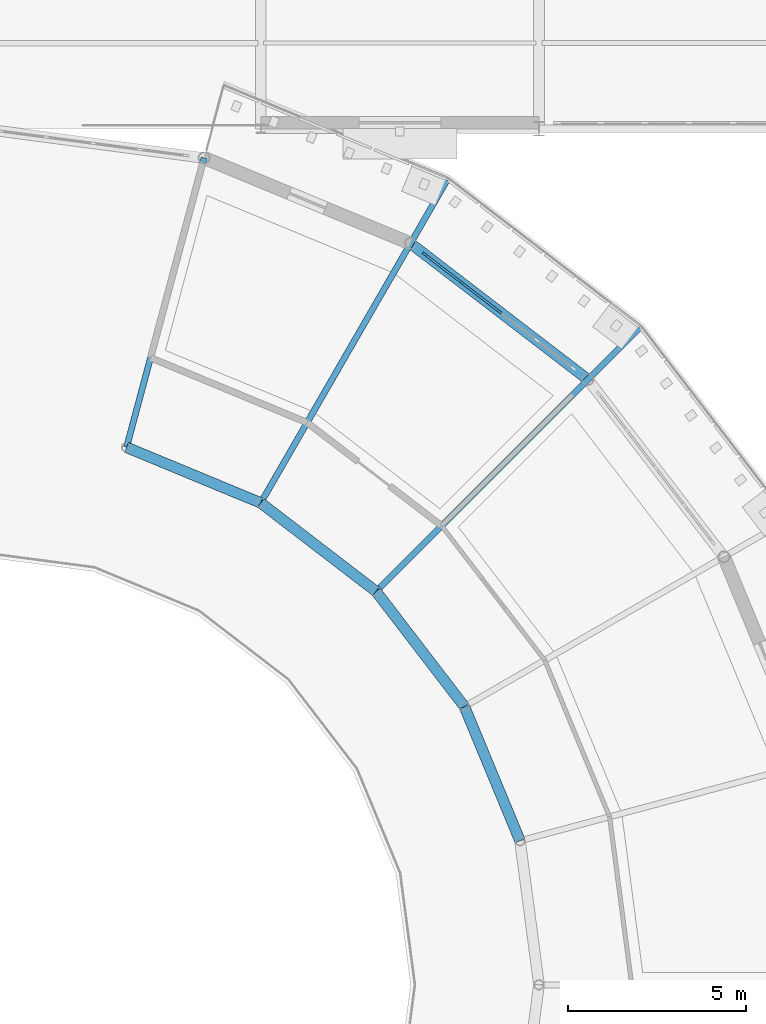
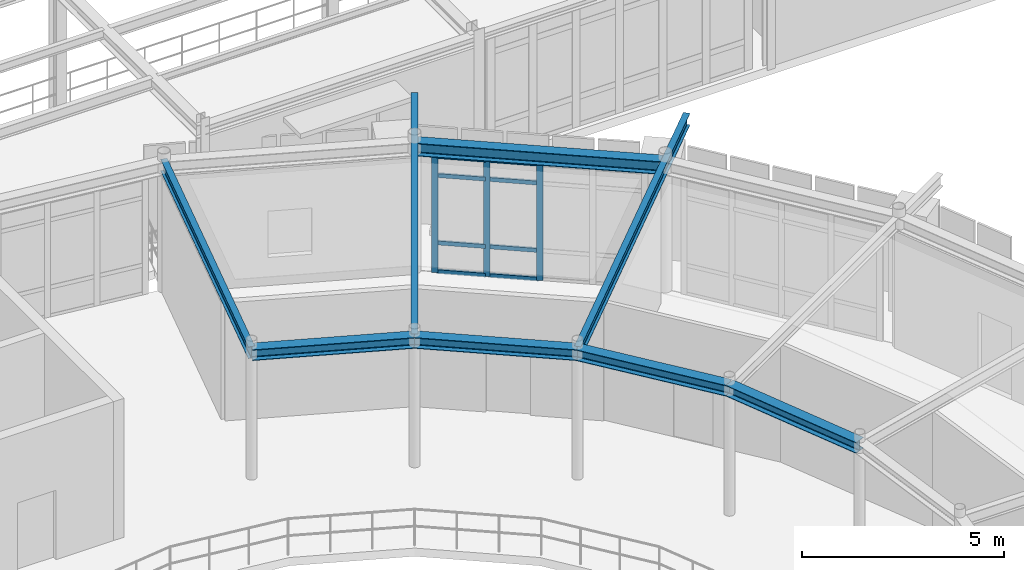
# One storey, part 49 of 90: 11 members, 8 beams, 1 element without a shape of its own.
"""IFC4 building model written with IfcOpenShell, lengths in metres."""

from ifc_helpers import new_model, si_unit, derived_unit, direction, frame, origin, origin_2d, place, context, subcontext, project, spatial, rectangle, i_section, extrude, material, layer, layer_set, material_profile, profile_set, type_object, element, aggregate, save


model = new_model("IFC4")

# Units and contexts
model_context = context("Model", 3, precision=1e-05, world=origin(), true_north=direction((0.0, 1.0)))
body_context = subcontext(model_context, "Body", "Model", "MODEL_VIEW")
ifc_project = project(units=[si_unit("LENGTHUNIT", "METRE"), si_unit("AREAUNIT", "SQUARE_METRE"), si_unit("VOLUMEUNIT", "CUBIC_METRE"), si_unit("PLANEANGLEUNIT", "RADIAN"), si_unit("MASSUNIT", "GRAM", prefix="KILO"), derived_unit("THERMALTRANSMITTANCEUNIT", [(si_unit("POWERUNIT", "WATT"), 1), (si_unit("AREAUNIT", "SQUARE_METRE"), -1), (si_unit("THERMODYNAMICTEMPERATUREUNIT", "KELVIN"), -1)])], contexts=[model_context])

# Site, building, storey
site_placement = place(None, origin())
site = spatial("IfcSite", under=ifc_project, at=site_placement, CompositionType="ELEMENT")
building_placement = place(site_placement, origin())
building = spatial("IfcBuilding", under=site, at=building_placement, Name="Yasenodar Specialist Clinic", CompositionType="ELEMENT")
storey_placement = place(building_placement, frame((0.0, 0.0, 9.0)))
storey = spatial("IfcBuildingStorey", under=building, at=storey_placement, Name="L02", CompositionType="ELEMENT", Elevation=9.0)

# Beams
ifc_material_1 = material(Name="Steel S355", Category="steel")
ifc_material_profile_1 = material_profile(ifc_material_1, i_section(OverallWidth=0.300048828125, OverallDepth=0.330078125, WebThickness=0.009521484375, FlangeThickness=0.0166015625, FilletRadius=0.027099609375, at=origin_2d()), Name="HEA 340")
ifc_profile_set_1 = profile_set([ifc_material_profile_1], Name="Steel S355")
beam_type_1 = type_object("IfcBeamType", Name="BM-HEA340", PredefinedType="BEAM", material=ifc_profile_set_1)
beam_1_placement = place(storey_placement, frame((96.068359375, 62.837646484375, 3.784912109375), z_axis=(-0.382660650645, 0.92388896868, 0.0), x_axis=(-0.92388896868, -0.382660650645, 0.0)))
element("IfcBeam", 1, at=beam_1_placement, inside=storey, type_object=beam_type_1, Name="L02 Drum V1 Inner Ring Beam", PredefinedType="BEAM", context=body_context, shape_type="SweptSolid", body=[
    extrude(i_section(OverallWidth=0.300048828125, OverallDepth=0.330078125, WebThickness=0.009521484375, FlangeThickness=0.0166015625, FilletRadius=0.027099609375, at=origin_2d()), origin(), (0.0, 0.0, 1.0), 4.072509765625),
])
beam_2_placement = place(storey_placement, frame((94.510009765625, 66.60009765625, 3.784912109375), z_axis=(-0.60875999388, 0.793354441502, 0.0), x_axis=(-0.793354441502, -0.60875999388, 0.0)))
element("IfcBeam", 2, at=beam_2_placement, inside=storey, type_object=beam_type_1, Name="L02 Drum V1 Inner Ring Beam", PredefinedType="BEAM", context=body_context, shape_type="SweptSolid", body=[
    extrude(i_section(OverallWidth=0.300048828125, OverallDepth=0.330078125, WebThickness=0.009521484375, FlangeThickness=0.0166015625, FilletRadius=0.027099609375, at=origin_2d()), origin(), (0.0, 0.0, 1.0), 4.072265625),
])
for number, where, z_axis, x_axis, name in (
    (3, (92.031005859375, 69.830810546875, 3.784912109375), (-0.793347704909, 0.608768773111, 0.0), (-0.608768773111, -0.793347704909, 0.0), "L02 Drum V1 Inner Ring Beam"),
    (4, (88.800048828125, 72.31005859375, 3.784912109375), (-0.92388896868, 0.382660650645, 0.0), (-0.382660650645, -0.92388896868, 0.0), "L02 Drum V1 Inner Ring Beam"),
):
    element("IfcBeam", number, at=place(storey_placement, frame(where, z_axis=z_axis, x_axis=x_axis)), inside=storey, type_object=beam_type_1, Name=name, PredefinedType="BEAM", context=body_context, shape_type="SweptSolid", body=[
        extrude(i_section(OverallWidth=0.300048828125, OverallDepth=0.330078125, WebThickness=0.009521484375, FlangeThickness=0.0166015625, FilletRadius=0.027099609375, at=origin_2d()), origin(), (0.0, 0.0, 1.0), 4.072509765625),
    ])
ifc_material_profile_2 = material_profile(ifc_material_1, i_section(OverallWidth=0.300048828125, OverallDepth=0.389892578125, WebThickness=0.010986328125, FlangeThickness=0.01904296875, FilletRadius=0.027099609375, at=origin_2d()), Name="HEA 400")
ifc_profile_set_2 = profile_set([ifc_material_profile_2], Name="Steel S355")
beam_type_2 = type_object("IfcBeamType", Name="BM-HEA400", PredefinedType="BEAM", material=ifc_profile_set_2)
beam_3_placement = place(storey_placement, frame((97.970703125, 75.7705078125, 3.7548828125), z_axis=(-0.793349152542, 0.608766886551, 0.0), x_axis=(-0.608766886551, -0.793349152542, 0.0)))
element("IfcBeam", 5, at=beam_3_placement, inside=storey, type_object=beam_type_2, Name="L02 Drum V1 Perimeter Ring Beam", PredefinedType="BEAM", context=body_context, shape_type="SweptSolid", body=[
    extrude(i_section(OverallWidth=0.300048828125, OverallDepth=0.389892578125, WebThickness=0.010986328125, FlangeThickness=0.01904296875, FilletRadius=0.027099609375, at=origin_2d()), origin(), (0.0, 0.0, 1.0), 6.265380859375),
])
ifc_material_profile_3 = material_profile(ifc_material_1, i_section(OverallWidth=0.169921875, OverallDepth=0.360107421875, WebThickness=0.008056640625, FlangeThickness=0.0126953125, FilletRadius=0.01806640625, at=origin_2d()), Name="IPE 360")
ifc_profile_set_3 = profile_set([ifc_material_profile_3], Name="Steel S355")
beam_type_3 = type_object("IfcBeamType", Name="BM-IPE360", PredefinedType="BEAM", material=ifc_profile_set_3)
for number, where, z_axis, x_axis, name in (
    (6, (92.031005859375, 69.830810546875, 3.77001953125), (0.707095099746, 0.707118462434, 0.0), (-0.707118462434, 0.707095099746, 0.0), "L02 Drum V1 Radial Back-Spanned Cantilever Beam"),
    (7, (88.800048828125, 72.31005859375, 3.77001953125), (0.499986032603, 0.866033467715, 0.0), (-0.866033467715, 0.499986032603, 0.0), "L02 Drum V1 Radial Back-Spanned Cantilever Beam"),
):
    element("IfcBeam", number, at=place(storey_placement, frame(where, z_axis=z_axis, x_axis=x_axis)), inside=storey, type_object=beam_type_3, Name=name, PredefinedType="BEAM", context=body_context, shape_type="SweptSolid", body=[
        extrude(i_section(OverallWidth=0.169921875, OverallDepth=0.360107421875, WebThickness=0.008056640625, FlangeThickness=0.0126953125, FilletRadius=0.01806640625, at=origin_2d()), origin(), (0.0, 0.0, 1.0), 10.449951171875),
    ])
beam_4_placement = place(storey_placement, frame((85.03759765625, 73.868408203125, 3.77001953125), z_axis=(0.258818408893, 0.965925996761, 0.0), x_axis=(-0.965925996761, 0.258818408893, 0.0)))
element("IfcBeam", 8, at=beam_4_placement, inside=storey, type_object=beam_type_3, Name="L02 Drum V1 Radial Beam", PredefinedType="BEAM", context=body_context, shape_type="SweptSolid", body=[
    extrude(i_section(OverallWidth=0.169921875, OverallDepth=0.360107421875, WebThickness=0.008056640625, FlangeThickness=0.0126953125, FilletRadius=0.01806640625, at=origin_2d()), origin(), (0.0, 0.0, 1.0), 8.39990234375),
])

# Curtain wall, members
ifc_material_2 = material(Name="Bronze Anodized Aluminium and Triple Low-E Glass", Category="aluminium")
ifc_layer = layer(ifc_material_2, 0.1669921875)
ifc_layer_set = layer_set([ifc_layer], Name="Bronze Anodized Aluminium and Triple Low-E Glass")
curtain_wall_type = type_object("IfcCurtainWallType", Name="CW-SYS-01", PredefinedType="USERDEFINED", material=ifc_layer_set)
curtain_wall_placement = place(storey_placement, origin())
curtain_wall = element("IfcCurtainWall", 9, at=curtain_wall_placement, inside=storey, type_object=curtain_wall_type, Name="L02 Unitised Curtain Wall 028", ObjectType="UNITISED CURTAIN WALL", PredefinedType="USERDEFINED")
ifc_material_3 = material(Name="Bronze Anodized Aluminium", Category="aluminium")
ifc_material_profile_4 = material_profile(ifc_material_3, rectangle(XDim=0.06005859375, YDim=0.159912109375, at=origin_2d()), Name="CW-MULL 60x160")
ifc_profile_set_4 = profile_set([ifc_material_profile_4], Name="Bronze Anodized Aluminium")
member_type_1 = type_object("IfcMemberType", Name="CW-MULL-160", PredefinedType="MULLION", material=ifc_profile_set_4)
member_1_placement = place(storey_placement, frame((93.404541015625, 79.274169921875, 0.0), z_axis=(0.0, 0.0, 1.0), x_axis=(0.608752021844, 0.793360558574, 0.0)))
member_1 = element("IfcMember", 10, at=member_1_placement, type_object=member_type_1, Name="CW-01 mullion 1", PredefinedType="MULLION", context=body_context, shape_type="SweptSolid", body=[
    extrude(rectangle(XDim=0.06005859375, YDim=0.159912109375, at=origin_2d()), origin(), (0.0, 0.0, 1.0), 3.5380859375),
])
member_2_placement = place(storey_placement, frame((94.43310546875, 78.485107421875, 0.0), z_axis=(0.0, 0.0, 1.0), x_axis=(0.608752021844, 0.793360558574, 0.0)))
member_2 = element("IfcMember", 11, at=member_2_placement, type_object=member_type_1, Name="CW-01 mullion 2", PredefinedType="MULLION", context=body_context, shape_type="SweptSolid", body=[
    extrude(rectangle(XDim=0.06005859375, YDim=0.159912109375, at=origin_2d()), origin(), (0.0, 0.0, 1.0), 3.5380859375),
])
member_3_placement = place(storey_placement, frame((95.4853515625, 77.677490234375, 0.0), z_axis=(0.0, 0.0, 1.0), x_axis=(0.608752021844, 0.793360558574, 0.0)))
member_3 = element("IfcMember", 12, at=member_3_placement, type_object=member_type_1, Name="CW-01 mullion 3", PredefinedType="MULLION", context=body_context, shape_type="SweptSolid", body=[
    extrude(rectangle(XDim=0.06005859375, YDim=0.159912109375, at=origin_2d()), origin(), (0.0, 0.0, 1.0), 3.5380859375),
])
ifc_material_profile_5 = material_profile(ifc_material_3, rectangle(XDim=0.06005859375, YDim=0.1201171875, at=origin_2d()), Name="CW-TRAN 60x120")
ifc_profile_set_5 = profile_set([ifc_material_profile_5], Name="Bronze Anodized Aluminium")
member_type_2 = type_object("IfcMemberType", Name="CW-TRAN-120", PredefinedType="USERDEFINED", material=ifc_profile_set_5)
member_4_placement = place(storey_placement, frame((93.428466796875, 79.255859375, 0.030029296875), z_axis=(0.793291580461, -0.608841907534, 0.0), x_axis=(0.608841907534, 0.793291580461, 0.0)))
member_4 = element("IfcMember", 13, at=member_4_placement, type_object=member_type_2, Name="CW-01 transom 1.1", ObjectType="TRANSOM", PredefinedType="USERDEFINED", context=body_context, shape_type="SweptSolid", body=[
    extrude(rectangle(XDim=0.06005859375, YDim=0.1201171875, at=origin_2d()), origin(), (0.0, 0.0, 1.0), 1.236328125),
])
member_5_placement = place(storey_placement, frame((93.428466796875, 79.255859375, 0.89990234375), z_axis=(0.793291580461, -0.608841907534, 0.0), x_axis=(0.608841907534, 0.793291580461, 0.0)))
member_5 = element("IfcMember", 14, at=member_5_placement, type_object=member_type_2, Name="CW-01 transom 1.2", ObjectType="TRANSOM", PredefinedType="USERDEFINED", context=body_context, shape_type="SweptSolid", body=[
    extrude(rectangle(XDim=0.06005859375, YDim=0.1201171875, at=origin_2d()), origin(), (0.0, 0.0, 1.0), 1.236328125),
])
member_6_placement = place(storey_placement, frame((93.428466796875, 79.255859375, 2.93798828125), z_axis=(0.793291580461, -0.608841907534, 0.0), x_axis=(0.608841907534, 0.793291580461, 0.0)))
member_6 = element("IfcMember", 15, at=member_6_placement, type_object=member_type_2, Name="CW-01 transom 1.3", ObjectType="TRANSOM", PredefinedType="USERDEFINED", context=body_context, shape_type="SweptSolid", body=[
    extrude(rectangle(XDim=0.06005859375, YDim=0.1201171875, at=origin_2d()), origin(), (0.0, 0.0, 1.0), 1.236328125),
])
member_7_placement = place(storey_placement, frame((93.428466796875, 79.255859375, 3.508056640625), z_axis=(0.793291580461, -0.608841907534, 0.0), x_axis=(0.608841907534, 0.793291580461, 0.0)))
member_7 = element("IfcMember", 16, at=member_7_placement, type_object=member_type_2, Name="CW-01 transom 1.4", ObjectType="TRANSOM", PredefinedType="USERDEFINED", context=body_context, shape_type="SweptSolid", body=[
    extrude(rectangle(XDim=0.06005859375, YDim=0.1201171875, at=origin_2d()), origin(), (0.0, 0.0, 1.0), 1.236328125),
])
member_8_placement = place(storey_placement, frame((94.456787109375, 78.466796875, 0.030029296875), z_axis=(0.793311491475, -0.608815963567, 0.0), x_axis=(0.608815963567, 0.793311491475, 0.0)))
member_8 = element("IfcMember", 17, at=member_8_placement, type_object=member_type_2, Name="CW-01 transom 2.1", ObjectType="TRANSOM", PredefinedType="USERDEFINED", context=body_context, shape_type="SweptSolid", body=[
    extrude(rectangle(XDim=0.06005859375, YDim=0.1201171875, at=origin_2d()), origin(), (0.0, 0.0, 1.0), 1.266357421875),
])
member_9_placement = place(storey_placement, frame((94.456787109375, 78.466796875, 0.89990234375), z_axis=(0.793311491475, -0.608815963567, 0.0), x_axis=(0.608815963567, 0.793311491475, 0.0)))
member_9 = element("IfcMember", 18, at=member_9_placement, type_object=member_type_2, Name="CW-01 transom 2.2", ObjectType="TRANSOM", PredefinedType="USERDEFINED", context=body_context, shape_type="SweptSolid", body=[
    extrude(rectangle(XDim=0.06005859375, YDim=0.1201171875, at=origin_2d()), origin(), (0.0, 0.0, 1.0), 1.266357421875),
])
member_10_placement = place(storey_placement, frame((94.456787109375, 78.466796875, 2.93798828125), z_axis=(0.793311491475, -0.608815963567, 0.0), x_axis=(0.608815963567, 0.793311491475, 0.0)))
member_10 = element("IfcMember", 19, at=member_10_placement, type_object=member_type_2, Name="CW-01 transom 2.3", ObjectType="TRANSOM", PredefinedType="USERDEFINED", context=body_context, shape_type="SweptSolid", body=[
    extrude(rectangle(XDim=0.06005859375, YDim=0.1201171875, at=origin_2d()), origin(), (0.0, 0.0, 1.0), 1.266357421875),
])
member_11_placement = place(storey_placement, frame((94.456787109375, 78.466796875, 3.508056640625), z_axis=(0.793311491475, -0.608815963567, 0.0), x_axis=(0.608815963567, 0.793311491475, 0.0)))
member_11 = element("IfcMember", 20, at=member_11_placement, type_object=member_type_2, Name="CW-01 transom 2.4", ObjectType="TRANSOM", PredefinedType="USERDEFINED", context=body_context, shape_type="SweptSolid", body=[
    extrude(rectangle(XDim=0.06005859375, YDim=0.1201171875, at=origin_2d()), origin(), (0.0, 0.0, 1.0), 1.266357421875),
])
aggregate(curtain_wall, [member_1, member_2, member_3, member_4, member_5, member_6, member_7, member_8, member_9, member_10, member_11])

save(model, "model.ifc")
